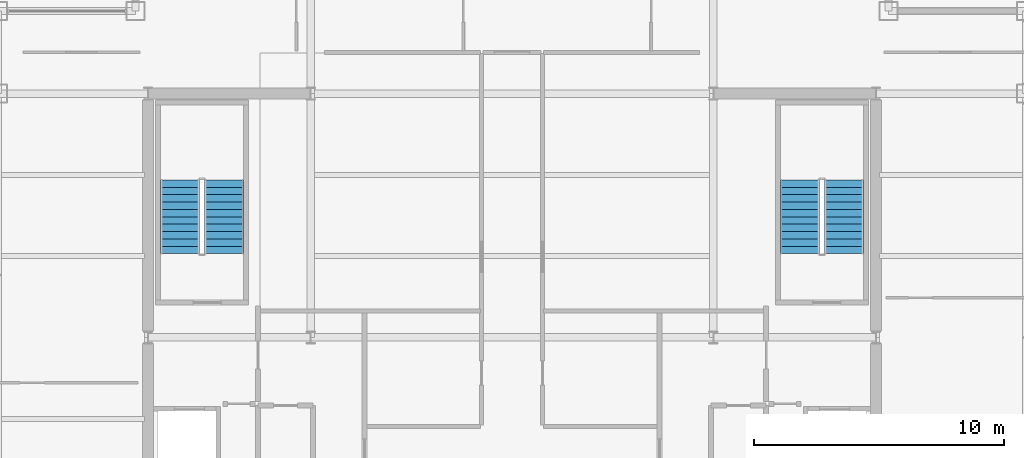
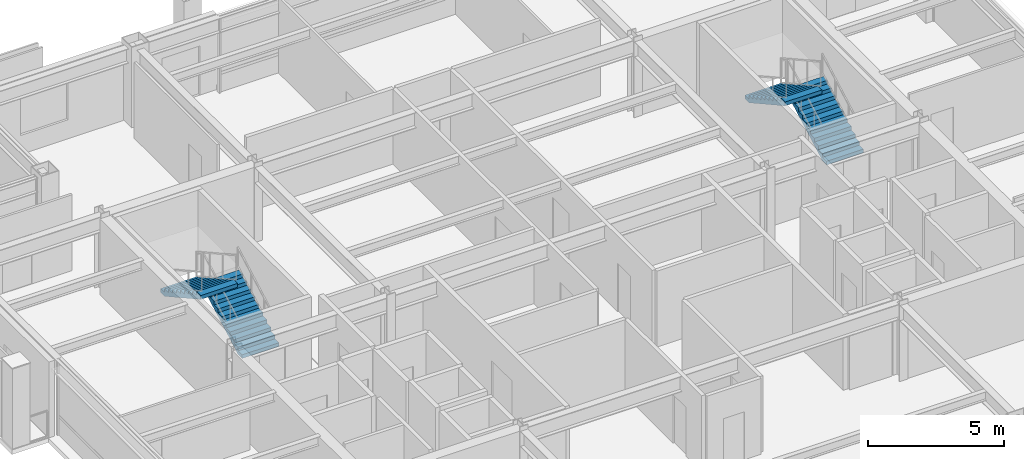
# One storey, part 26 of 28: 4 stair flights, 2 elements without a shape of their own.
"""IFC4 building model written with IfcOpenShell, lengths in metres."""

from ifc_helpers import new_model, si_unit, direction, frame, origin, place, context, subcontext, project, spatial, polyline, outline, extrude, material, type_object, element, aggregate, save


model = new_model("IFC4")

# Units and contexts
model_context = context("Model", 3, precision=1e-05, world=origin(), true_north=direction((0.0, 1.0)))
body_context = subcontext(model_context, "Body", "Model", "MODEL_VIEW")
ifc_project = project(units=[si_unit("LENGTHUNIT", "METRE"), si_unit("AREAUNIT", "SQUARE_METRE"), si_unit("VOLUMEUNIT", "CUBIC_METRE"), si_unit("PLANEANGLEUNIT", "RADIAN"), si_unit("MASSUNIT", "GRAM", prefix="KILO")], contexts=[model_context])

# Site, building, storey
site_placement = place(None, origin())
site = spatial("IfcSite", under=ifc_project, at=site_placement, CompositionType="ELEMENT")
building_placement = place(site_placement, origin())
building = spatial("IfcBuilding", under=site, at=building_placement, Name="Brelmoor Portico Tower", CompositionType="ELEMENT")
storey_placement = place(building_placement, frame((0.0, 0.0, 165.89990234375)))
storey = spatial("IfcBuildingStorey", under=building, at=storey_placement, Name="L43", CompositionType="ELEMENT", Elevation=165.89990234375)

# Stair, stair flights
ifc_material = material(Name="Concrete C40", Category="concrete")
stair_type_1 = type_object("IfcStairType", Name="ST-CORE-W", PredefinedType="HALF_TURN_STAIR", material=ifc_material)
stair_1_placement = place(storey_placement, origin())
stair_1 = element("IfcStair", 1, at=stair_1_placement, inside=storey, type_object=stair_type_1, Name="L43 Protected Core Exit Stair ST-W", PredefinedType="HALF_TURN_STAIR")
stair_flight_type = type_object("IfcStairFlightType", Name="SF-CORE-1850", PredefinedType="STRAIGHT", material=ifc_material)
stair_flight_1_placement = place(storey_placement, frame((-11.510009765625, 3.35009765625, 0.0), z_axis=(0.0, 0.0, 1.0), x_axis=(0.0, 1.0, 0.0)))
stair_flight_1 = element("IfcStairFlight", 2, at=stair_flight_1_placement, type_object=stair_flight_type, Name="ST-W flight 1", NumberOfRisers=11, NumberOfTreads=10, PredefinedType="STRAIGHT", RiserHeight=0.163636364, TreadLength=0.295, context=body_context, shape_type="SweptSolid", body=[
    extrude(outline(polyline([(0.0, 0.0), (0.0, 0.16357421875), (0.294921875, 0.16357421875), (0.294921875, 0.327392578125), (0.590087890625, 0.327392578125), (0.590087890625, 0.490966796875), (0.885009765625, 0.490966796875), (0.885009765625, 0.654541015625), (1.179931640625, 0.654541015625), (1.179931640625, 0.818115234375), (1.47509765625, 0.818115234375), (1.47509765625, 0.98193359375), (1.77001953125, 0.98193359375), (1.77001953125, 1.1455078125), (2.06494140625, 1.1455078125), (2.06494140625, 1.30908203125), (2.360107421875, 1.30908203125), (2.360107421875, 1.47265625), (2.655029296875, 1.47265625), (2.655029296875, 1.636474609375), (2.949951171875, 1.636474609375), (2.949951171875, 1.800048828125), (2.949951171875, 1.46484375), (0.30908203125, 0.0), (0.0, 0.0)])), frame((0.0, 0.780029296875, 0.0), z_axis=(0.0, -1.0, 0.0), x_axis=(1.0, 0.0, 0.0)), (0.0, 0.0, 1.0), 1.56005859375),
])
stair_flight_2_placement = place(storey_placement, frame((-13.27001953125, 6.300048828125, 1.800048828125), z_axis=(0.0, 0.0, 1.0), x_axis=(0.0, -1.0, 0.0)))
stair_flight_2 = element("IfcStairFlight", 3, at=stair_flight_2_placement, type_object=stair_flight_type, Name="ST-W flight 2", NumberOfRisers=11, NumberOfTreads=10, PredefinedType="STRAIGHT", RiserHeight=0.163636364, TreadLength=0.295, context=body_context, shape_type="SweptSolid", body=[
    extrude(outline(polyline([(0.0, 0.0), (0.0, 0.16357421875), (0.294921875, 0.16357421875), (0.294921875, 0.327392578125), (0.590087890625, 0.327392578125), (0.590087890625, 0.490966796875), (0.885009765625, 0.490966796875), (0.885009765625, 0.654541015625), (1.179931640625, 0.654541015625), (1.179931640625, 0.818115234375), (1.47509765625, 0.818115234375), (1.47509765625, 0.98193359375), (1.77001953125, 0.98193359375), (1.77001953125, 1.1455078125), (2.06494140625, 1.1455078125), (2.06494140625, 1.30908203125), (2.360107421875, 1.30908203125), (2.360107421875, 1.47265625), (2.655029296875, 1.47265625), (2.655029296875, 1.636474609375), (2.949951171875, 1.636474609375), (2.949951171875, 1.800048828125), (2.949951171875, 1.46484375), (0.30908203125, 0.0), (0.0, 0.0)])), frame((0.0, 0.780029296875, 0.0), z_axis=(0.0, -1.0, 0.0), x_axis=(1.0, 0.0, 0.0)), (0.0, 0.0, 1.0), 1.56005859375),
])
aggregate(stair_1, [stair_flight_1, stair_flight_2])

stair_type_2 = type_object("IfcStairType", Name="ST-CORE-E", PredefinedType="HALF_TURN_STAIR", material=ifc_material)
stair_2_placement = place(storey_placement, origin())
stair_2 = element("IfcStair", 4, at=stair_2_placement, inside=storey, type_object=stair_type_2, Name="L43 Protected Core Exit Stair ST-E", PredefinedType="HALF_TURN_STAIR")
stair_flight_3_placement = place(storey_placement, frame((13.27001953125, 3.35009765625, 0.0), z_axis=(0.0, 0.0, 1.0), x_axis=(0.0, 1.0, 0.0)))
stair_flight_3 = element("IfcStairFlight", 5, at=stair_flight_3_placement, type_object=stair_flight_type, Name="ST-E flight 1", NumberOfRisers=11, NumberOfTreads=10, PredefinedType="STRAIGHT", RiserHeight=0.163636364, TreadLength=0.295, context=body_context, shape_type="SweptSolid", body=[
    extrude(outline(polyline([(0.0, 0.0), (0.0, 0.16357421875), (0.294921875, 0.16357421875), (0.294921875, 0.327392578125), (0.590087890625, 0.327392578125), (0.590087890625, 0.490966796875), (0.885009765625, 0.490966796875), (0.885009765625, 0.654541015625), (1.179931640625, 0.654541015625), (1.179931640625, 0.818115234375), (1.47509765625, 0.818115234375), (1.47509765625, 0.98193359375), (1.77001953125, 0.98193359375), (1.77001953125, 1.1455078125), (2.06494140625, 1.1455078125), (2.06494140625, 1.30908203125), (2.360107421875, 1.30908203125), (2.360107421875, 1.47265625), (2.655029296875, 1.47265625), (2.655029296875, 1.636474609375), (2.949951171875, 1.636474609375), (2.949951171875, 1.800048828125), (2.949951171875, 1.46484375), (0.30908203125, 0.0), (0.0, 0.0)])), frame((0.0, 0.780029296875, 0.0), z_axis=(0.0, -1.0, 0.0), x_axis=(1.0, 0.0, 0.0)), (0.0, 0.0, 1.0), 1.56005859375),
])
stair_flight_4_placement = place(storey_placement, frame((11.510009765625, 6.300048828125, 1.800048828125), z_axis=(0.0, 0.0, 1.0), x_axis=(0.0, -1.0, 0.0)))
stair_flight_4 = element("IfcStairFlight", 6, at=stair_flight_4_placement, type_object=stair_flight_type, Name="ST-E flight 2", NumberOfRisers=11, NumberOfTreads=10, PredefinedType="STRAIGHT", RiserHeight=0.163636364, TreadLength=0.295, context=body_context, shape_type="SweptSolid", body=[
    extrude(outline(polyline([(0.0, 0.0), (0.0, 0.16357421875), (0.294921875, 0.16357421875), (0.294921875, 0.327392578125), (0.590087890625, 0.327392578125), (0.590087890625, 0.490966796875), (0.885009765625, 0.490966796875), (0.885009765625, 0.654541015625), (1.179931640625, 0.654541015625), (1.179931640625, 0.818115234375), (1.47509765625, 0.818115234375), (1.47509765625, 0.98193359375), (1.77001953125, 0.98193359375), (1.77001953125, 1.1455078125), (2.06494140625, 1.1455078125), (2.06494140625, 1.30908203125), (2.360107421875, 1.30908203125), (2.360107421875, 1.47265625), (2.655029296875, 1.47265625), (2.655029296875, 1.636474609375), (2.949951171875, 1.636474609375), (2.949951171875, 1.800048828125), (2.949951171875, 1.46484375), (0.30908203125, 0.0), (0.0, 0.0)])), frame((0.0, 0.780029296875, 0.0), z_axis=(0.0, -1.0, 0.0), x_axis=(1.0, 0.0, 0.0)), (0.0, 0.0, 1.0), 1.56005859375),
])
aggregate(stair_2, [stair_flight_3, stair_flight_4])

save(model, "model.ifc")
